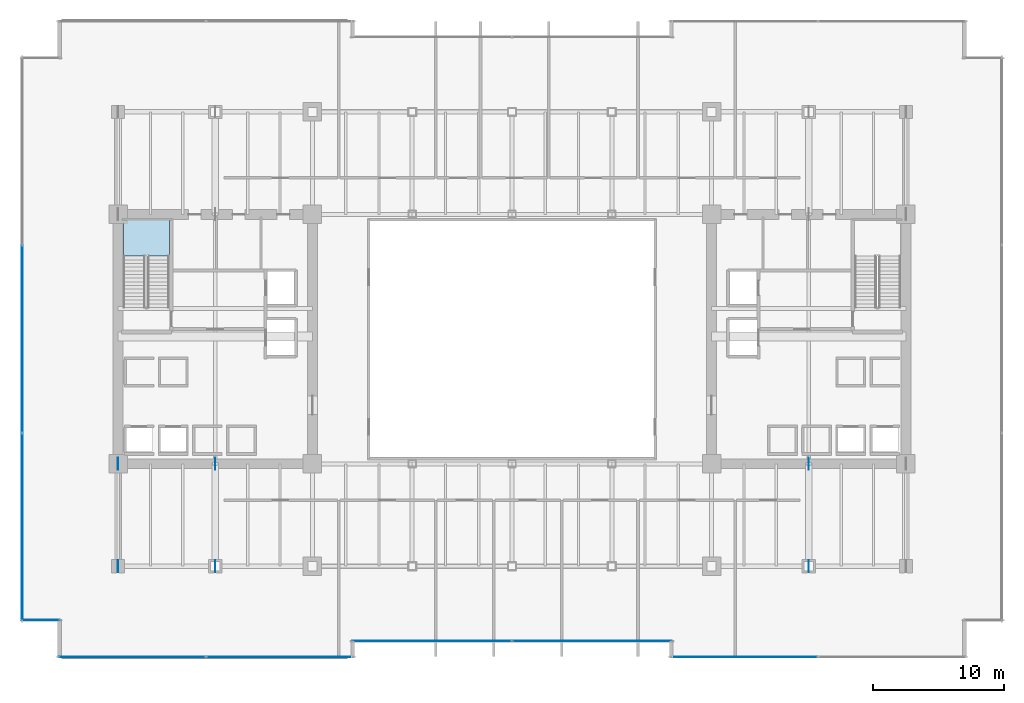
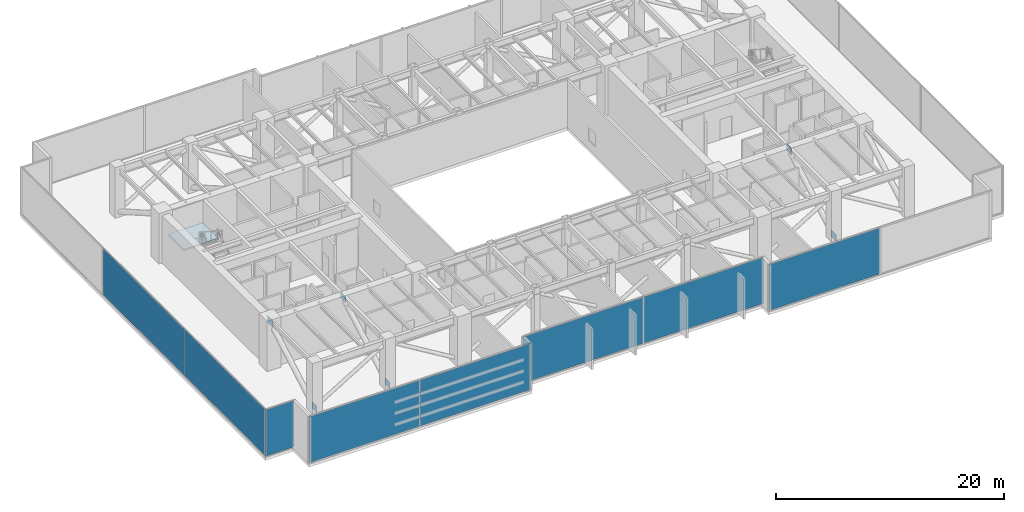
# One storey, part 28 of 38: 14 plates, 1 slab, 6 elements without a shape of their own.
"""IFC4 building model written with IfcOpenShell, lengths in metres."""

from ifc_helpers import new_model, si_unit, direction, frame, origin, origin_2d, place, context, subcontext, project, spatial, polyline, rectangle, outline, extrude, source, transform, mapped, material, layer, layer_set, type_object, type_shapes, element, aggregate, save


model = new_model("IFC4")

# Units and contexts
model_context = context("Model", 3, precision=1e-05, world=origin(), true_north=direction((0.0, 1.0)))
body_context = subcontext(model_context, "Body", "Model", "MODEL_VIEW")
ifc_project = project(units=[si_unit("LENGTHUNIT", "METRE"), si_unit("AREAUNIT", "SQUARE_METRE"), si_unit("VOLUMEUNIT", "CUBIC_METRE"), si_unit("PLANEANGLEUNIT", "RADIAN"), si_unit("MASSUNIT", "GRAM", prefix="KILO")], contexts=[model_context])

# Site, building, storey
site_placement = place(None, origin())
site = spatial("IfcSite", under=ifc_project, at=site_placement, CompositionType="ELEMENT")
building_placement = place(site_placement, origin())
building = spatial("IfcBuilding", under=site, at=building_placement, Name="Haelvirn Gate Laboratories", CompositionType="ELEMENT")
storey_placement = place(building_placement, frame((0.0, 0.0, 94.89990234375)))
storey = spatial("IfcBuildingStorey", under=building, at=storey_placement, Name="L23", CompositionType="ELEMENT", Elevation=94.89990234375)

# Stair, slab
ifc_material_1 = material(Name="Concrete C40/50", Category="concrete")
stair_type = type_object("IfcStairType", Name="ST-DOG-1650-R30", PredefinedType="HALF_TURN_STAIR", material=ifc_material_1)
stair_placement = place(storey_placement, origin())
stair = element("IfcStair", 1, at=stair_placement, inside=storey, type_object=stair_type, Name="L23 Escape Stair ST1", PredefinedType="HALF_TURN_STAIR")
ifc_layer_1 = layer(ifc_material_1, 0.199951171875, Name="SL-STAIR-LND")
ifc_layer_set_1 = layer_set([ifc_layer_1], Name="Concrete C40/50")
slab_type = type_object("IfcSlabType", Name="SL-STAIR-LND", PredefinedType="LANDING", material=ifc_layer_set_1)
slab_placement = place(storey_placement, frame((0.0, 0.0, 2.5)))
slab = element("IfcSlab", 2, at=slab_placement, type_object=slab_type, Name="ST1 landing 1", PredefinedType="LANDING", context=body_context, shape_type="SweptSolid", body=[
    extrude(outline(polyline([(11.300048828125, 30.6201171875), (11.300048828125, 33.35009765625), (7.800048828125, 33.35009765625), (7.800048828125, 30.6201171875), (11.300048828125, 30.6201171875)])), origin(), (0.0, 0.0, 1.0), 0.2001953125),
])
aggregate(stair, [slab])

# Plates
ifc_material_2 = material(Name="Steel SM420", Category="steel")
ifc_layer_2 = layer(ifc_material_2, 0.031982421875, Name="PL-NODE-ON1")
ifc_layer_set_2 = layer_set([ifc_layer_2], Name="Steel SM420")
plate_type_1 = type_object("IfcPlateType", Name="PL-NODE-ON1", PredefinedType="USERDEFINED", material=ifc_layer_set_2)
shared_shape_1 = source(origin(), body_context, "Body", "SweptSolid", [
    extrude(rectangle(XDim=0.89990234375, YDim=0.031982421875, at=origin_2d()), origin(), (0.0, 0.0, 1.0), 0.699951171875),
])
type_shapes(plate_type_1, [shared_shape_1])
for number, where, z_axis, x_axis, name in (
    (3, (7.39990234375, 14.800048828125, 4.39013671875), (0.0, 0.0, 1.0), (0.0, 1.0, 0.0), "L23 Steel Truss Node Plate ON1"),
    (4, (7.39990234375, 7.0, -0.10009765625), (0.0, 0.0, 1.0), (0.0, 1.0, 0.0), "L23 Steel Truss Node Plate ON1"),
    (5, (14.800048828125, 14.800048828125, 4.39013671875), (0.0, 0.0, 1.0), (0.0, 1.0, 0.0), "L23 Steel Truss Node Plate ON1"),
    (6, (14.800048828125, 7.0, -0.10009765625), (0.0, 0.0, 1.0), (0.0, 1.0, 0.0), "L23 Steel Truss Node Plate ON1"),
    (7, (60.0, 14.800048828125, 4.39013671875), (0.0, 0.0, 1.0), (0.0, 1.0, 0.0), "L23 Steel Truss Node Plate ON1"),
    (8, (60.0, 7.0, -0.10009765625), (0.0, 0.0, 1.0), (0.0, 1.0, 0.0), "L23 Steel Truss Node Plate ON1"),
):
    element("IfcPlate", number, at=place(storey_placement, frame(where, z_axis=z_axis, x_axis=x_axis)), inside=storey, type_object=plate_type_1, Name=name, ObjectType="GUSSET_PLATE", PredefinedType="USERDEFINED", context=body_context, shape_type="MappedRepresentation", body=[
        mapped(shared_shape_1, transform((0.0, 0.0, 0.0), scale=1.0)),
    ])

# Curtain wall, plates
ifc_material_3 = material(Name="Anodised bronze unitised aluminium & triple low-E glass", Category="aluminium")
ifc_layer_3 = layer(ifc_material_3, 0.18408203125, Name="CW-SYS-2")
ifc_layer_set_3 = layer_set([ifc_layer_3], Name="Anodised bronze unitised aluminium & triple low-E glass")
curtain_wall_type_1 = type_object("IfcCurtainWallType", Name="CW-SYS-2", PredefinedType="NOTDEFINED", material=ifc_layer_set_3)
curtain_wall_1_placement = place(storey_placement, origin())
curtain_wall_1 = element("IfcCurtainWall", 9, at=curtain_wall_1_placement, inside=storey, type_object=curtain_wall_type_1, Name="L23 Unitised Curtain Wall CW-L23-P0-E00-1", PredefinedType="NOTDEFINED")
ifc_material_4 = material(Name="Bronze solar-control triple low-E IGU 44 mm", Category="glass")
ifc_layer_4 = layer(ifc_material_4, 0.0439453125, Name="CWP-IGU-44")
ifc_layer_set_4 = layer_set([ifc_layer_4], Name="Bronze solar-control triple low-E IGU 44 mm")
plate_type_2 = type_object("IfcPlateType", Name="CWP-IGU-44", PredefinedType="CURTAIN_PANEL", material=ifc_layer_set_4)
shared_shape_2 = source(origin(), body_context, "Body", "SweptSolid", [
    extrude(rectangle(XDim=11.1875, YDim=0.0439453125, at=origin_2d()), origin(), (0.0, 0.0, 1.0), 4.949951171875),
])
plate_1_placement = place(storey_placement, frame((8.46875, 0.10009765625, 0.0703125), z_axis=(0.0, 0.0, 1.0), x_axis=(1.0, 0.0, 0.0)))
plate_1 = element("IfcPlate", 10, at=plate_1_placement, type_object=plate_type_2, Name="CW2 panel 1.1", PredefinedType="CURTAIN_PANEL", context=body_context, shape_type="MappedRepresentation", body=[
    mapped(shared_shape_2, transform((0.0, 0.0, 0.0), scale=1.0)),
])
plate_2_placement = place(storey_placement, frame((19.731201171875, 0.10009765625, 0.0703125), z_axis=(0.0, 0.0, 1.0), x_axis=(1.0, 0.0, 0.0)))
plate_2 = element("IfcPlate", 11, at=plate_2_placement, type_object=plate_type_2, Name="CW2 panel 2.1", PredefinedType="CURTAIN_PANEL", context=body_context, shape_type="MappedRepresentation", body=[
    mapped(shared_shape_2, transform((0.0, 0.0, 0.0), scale=1.0)),
])
aggregate(curtain_wall_1, [plate_1, plate_2])

# Curtain wall, plate
curtain_wall_2_placement = place(storey_placement, origin())
curtain_wall_2 = element("IfcCurtainWall", 12, at=curtain_wall_2_placement, inside=storey, type_object=curtain_wall_type_1, Name="L23 Unitised Curtain Wall CW-L23-P0-E04-1", PredefinedType="NOTDEFINED")
plate_3_placement = place(storey_placement, frame((55.06884765625, 0.10009765625, 0.0703125), z_axis=(0.0, 0.0, 1.0), x_axis=(1.0, 0.0, 0.0)))
plate_3 = element("IfcPlate", 13, at=plate_3_placement, type_object=plate_type_2, Name="CW2 panel 1.1", PredefinedType="CURTAIN_PANEL", context=body_context, shape_type="MappedRepresentation", body=[
    mapped(shared_shape_2, transform((0.0, 0.0, 0.0), scale=1.0)),
])
aggregate(curtain_wall_2, [plate_3])

# Curtain wall, plates
curtain_wall_3_placement = place(storey_placement, origin())
curtain_wall_3 = element("IfcCurtainWall", 14, at=curtain_wall_3_placement, inside=storey, type_object=curtain_wall_type_1, Name="L23 Unitised Curtain Wall CW-L23-P0-E02-1", PredefinedType="NOTDEFINED")
shared_shape_3 = source(origin(), body_context, "Body", "SweptSolid", [
    extrude(rectangle(XDim=12.12744140625, YDim=0.0439453125, at=origin_2d()), origin(), (0.0, 0.0, 1.0), 4.949951171875),
])
plate_4_placement = place(storey_placement, frame((31.298828125, 1.300048828125, 0.0703125), z_axis=(0.0, 0.0, 1.0), x_axis=(1.0, 0.0, 0.0)))
plate_4 = element("IfcPlate", 15, at=plate_4_placement, type_object=plate_type_2, Name="CW2 panel 1.1", PredefinedType="CURTAIN_PANEL", context=body_context, shape_type="MappedRepresentation", body=[
    mapped(shared_shape_3, transform((0.0, 0.0, 0.0), scale=1.0)),
])
plate_5_placement = place(storey_placement, frame((43.501220703125, 1.300048828125, 0.0703125), z_axis=(0.0, 0.0, 1.0), x_axis=(1.0, 0.0, 0.0)))
plate_5 = element("IfcPlate", 16, at=plate_5_placement, type_object=plate_type_2, Name="CW2 panel 2.1", PredefinedType="CURTAIN_PANEL", context=body_context, shape_type="MappedRepresentation", body=[
    mapped(shared_shape_3, transform((0.0, 0.0, 0.0), scale=1.0)),
])
aggregate(curtain_wall_3, [plate_4, plate_5])

# Curtain wall, plate
ifc_layer_5 = layer(ifc_material_3, 0.181884765625, Name="CW-SYS-5")
ifc_layer_set_5 = layer_set([ifc_layer_5], Name="Anodised bronze unitised aluminium & triple low-E glass")
curtain_wall_type_2 = type_object("IfcCurtainWallType", Name="CW-SYS-5", PredefinedType="NOTDEFINED", material=ifc_layer_set_5)
curtain_wall_4_placement = place(storey_placement, origin())
curtain_wall_4 = element("IfcCurtainWall", 17, at=curtain_wall_4_placement, inside=storey, type_object=curtain_wall_type_2, Name="L23 Unitised Curtain Wall CW-L23-P0-E18-1", PredefinedType="NOTDEFINED")
ifc_material_5 = material(Name="Clear low-iron notched-corner triple IGU 42 mm", Category="glass")
ifc_layer_6 = layer(ifc_material_5, 0.0419921875, Name="CWP-NTC-42")
ifc_layer_set_6 = layer_set([ifc_layer_6], Name="Clear low-iron notched-corner triple IGU 42 mm")
plate_type_3 = type_object("IfcPlateType", Name="CWP-NTC-42", PredefinedType="CURTAIN_PANEL", material=ifc_layer_set_6)
shared_shape_4 = source(origin(), body_context, "Body", "SweptSolid", [
    extrude(rectangle(XDim=2.8798828125, YDim=0.0419921875, at=origin_2d()), origin(), (0.0, 0.0, 1.0), 4.9599609375),
])
type_shapes(plate_type_3, [shared_shape_4])
plate_6_placement = place(storey_placement, frame((1.52001953125, 2.89990234375, 0.065185546875), z_axis=(0.0, 0.0, 1.0), x_axis=(1.0, 0.0, 0.0)))
plate_6 = element("IfcPlate", 18, at=plate_6_placement, type_object=plate_type_3, Name="CW5 panel 1.1", PredefinedType="CURTAIN_PANEL", context=body_context, shape_type="MappedRepresentation", body=[
    mapped(shared_shape_4, transform((0.0, 0.0, 0.0), scale=1.0)),
])
aggregate(curtain_wall_4, [plate_6])

# Curtain wall, plates
curtain_wall_5_placement = place(storey_placement, origin())
curtain_wall_5 = element("IfcCurtainWall", 19, at=curtain_wall_5_placement, inside=storey, type_object=curtain_wall_type_1, Name="L23 Unitised Curtain Wall CW-L23-P0-E17", PredefinedType="NOTDEFINED")
shared_shape_5 = source(origin(), body_context, "Body", "SweptSolid", [
    extrude(rectangle(XDim=14.220947265625, YDim=0.0439453125, at=origin_2d()), origin(), (0.0, 0.0, 1.0), 4.949951171875),
])
plate_7_placement = place(storey_placement, frame((0.10009765625, 9.9853515625, 0.0703125), z_axis=(0.0, 0.0, 1.0), x_axis=(0.0, -1.0, 0.0)))
plate_7 = element("IfcPlate", 20, at=plate_7_placement, type_object=plate_type_2, Name="CW2 panel 3.1", PredefinedType="CURTAIN_PANEL", context=body_context, shape_type="MappedRepresentation", body=[
    mapped(shared_shape_5, transform((0.0, 0.0, 0.0), scale=1.0)),
])
shared_shape_6 = source(origin(), body_context, "Body", "SweptSolid", [
    extrude(rectangle(XDim=14.25830078125, YDim=0.0439453125, at=origin_2d()), origin(), (0.0, 0.0, 1.0), 4.949951171875),
])
type_shapes(plate_type_2, [shared_shape_2, shared_shape_3, shared_shape_5, shared_shape_6])
plate_8_placement = place(storey_placement, frame((0.10009765625, 24.300048828125, 0.0703125), z_axis=(0.0, 0.0, 1.0), x_axis=(0.0, -1.0, 0.0)))
plate_8 = element("IfcPlate", 21, at=plate_8_placement, type_object=plate_type_2, Name="CW2 panel 2.1", PredefinedType="CURTAIN_PANEL", context=body_context, shape_type="MappedRepresentation", body=[
    mapped(shared_shape_6, transform((0.0, 0.0, 0.0), scale=1.0)),
])
aggregate(curtain_wall_5, [plate_8, plate_7])

save(model, "model.ifc")
